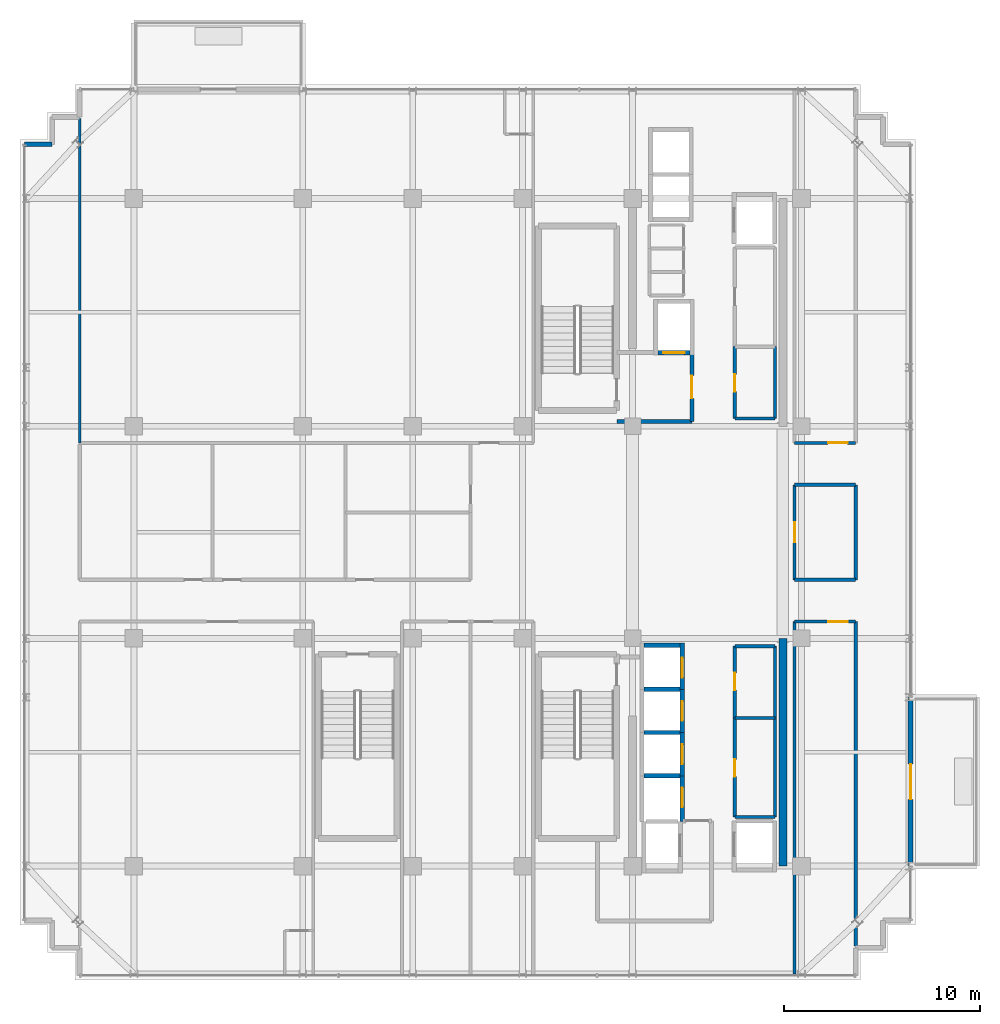
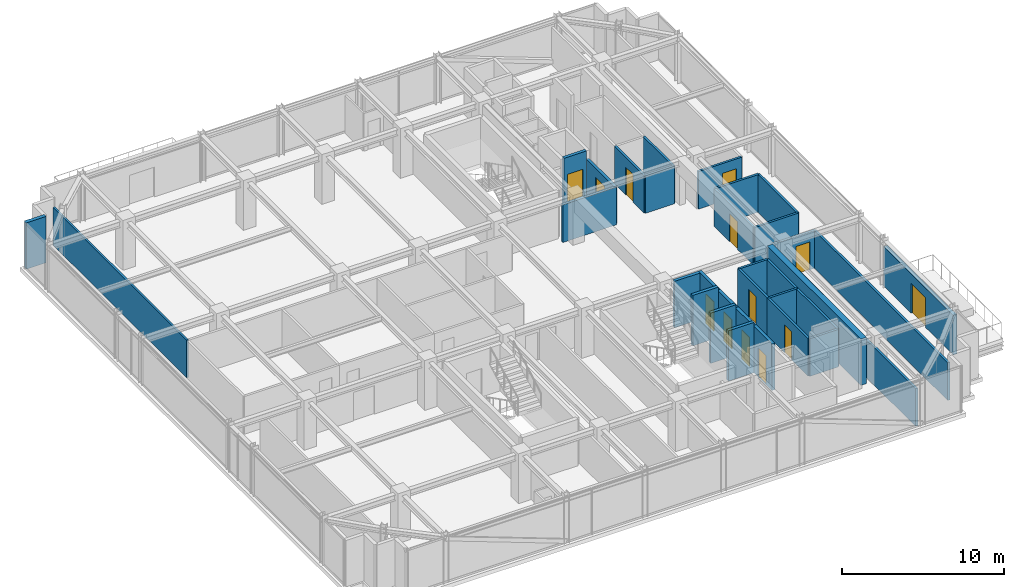
# One storey, part 25 of 31: 33 walls, 13 doors, 13 openings.
"""IFC4 building model written with IfcOpenShell, lengths in metres."""

from ifc_helpers import new_model, si_unit, direction, frame, frame_2d, origin, place, context, subcontext, project, spatial, rectangle, extrude, source, transform, mapped, material, layer, layer_set, type_object, element, fill, save


model = new_model("IFC4")

# Units and contexts
model_context = context("Model", 3, precision=1e-05, world=origin(), true_north=direction((0.0, 1.0)))
body_context = subcontext(model_context, "Body", "Model", "MODEL_VIEW")
ifc_project = project(units=[si_unit("LENGTHUNIT", "METRE"), si_unit("AREAUNIT", "SQUARE_METRE"), si_unit("VOLUMEUNIT", "CUBIC_METRE"), si_unit("PLANEANGLEUNIT", "RADIAN"), si_unit("MASSUNIT", "GRAM", prefix="KILO")], contexts=[model_context])

# Site, building, storey
site_placement = place(None, origin())
site = spatial("IfcSite", under=ifc_project, at=site_placement, CompositionType="ELEMENT")
building_placement = place(site_placement, origin())
building = spatial("IfcBuilding", under=site, at=building_placement, Name="Nahalor Promenade Grand Hotel", CompositionType="ELEMENT")
storey_placement = place(building_placement, frame((0.0, 0.0, 327.14990234375)))
storey = spatial("IfcBuildingStorey", under=building, at=storey_placement, Name="L84", CompositionType="ELEMENT", Elevation=327.14990234375)

# Wall
ifc_material_1 = material(Name="Concrete B-50 (C40/50)", Category="concrete")
ifc_layer_1 = layer(ifc_material_1, 0.39990234375)
ifc_layer_set_1 = layer_set([ifc_layer_1], Name="Concrete B-50 (C40/50)")
wall_type_1 = type_object("IfcWallType", Name="Wall-CoreShear-400", PredefinedType="SHEAR", material=ifc_layer_set_1)
shared_shape_1 = source(origin(), body_context, "Body", "SweptSolid", [
    extrude(rectangle(XDim=11.60009765625, YDim=0.39990234375, at=frame_2d((5.800048828125, 0.0))), origin(), (0.0, 0.0, 1.0), 3.5),
])
wall_1_placement = place(storey_placement, frame((16.050048828125, -17.0, 0.0), z_axis=(0.0, 0.0, 1.0), x_axis=(0.0, 1.0, 0.0)))
element("IfcWall", 1, at=wall_1_placement, inside=storey, type_object=wall_type_1, Name="CWALL-L84-SE", PredefinedType="SHEAR", context=body_context, shape_type="MappedRepresentation", body=[
    mapped(shared_shape_1, transform((0.0, 0.0, 0.0), scale=1.0)),
])

# Wall, opening, door
ifc_layer_2 = layer(ifc_material_1, 0.219970703125)
ifc_layer_set_2 = layer_set([ifc_layer_2], Name="Concrete B-50 (C40/50)")
wall_type_2 = type_object("IfcWallType", Name="Wall-LiftShaft-220", PredefinedType="SHEAR", material=ifc_layer_set_2)
shared_shape_2 = source(origin(), body_context, "Body", "SweptSolid", [
    extrude(rectangle(XDim=2.360107421875, YDim=0.219970703125, at=frame_2d((1.18017578125, 0.0))), origin(), (0.0, 0.0, 1.0), 3.5),
])
wall_2_placement = place(storey_placement, frame((10.919921875, -8.0, 0.0), z_axis=(0.0, 0.0, 1.0), x_axis=(0.0, 1.0, 0.0)))
wall_2 = element("IfcWall", 2, at=wall_2_placement, inside=storey, type_object=wall_type_2, Name="L84 Lift PL9 Hoistway Wall E", PredefinedType="SHEAR", context=body_context, shape_type="MappedRepresentation", body=[
    mapped(shared_shape_2, transform((0.0, 0.0, 0.0), scale=1.0)),
])
opening_1_placement = place(wall_2_placement, frame((0.60009765625, 0.0, 0.0)))
opening_1 = element("IfcOpeningElement", 3, at=opening_1_placement, cuts=wall_2, Name="Opening LD-01", PredefinedType="OPENING", context=body_context, shape_type="SweptSolid", body=[
    extrude(rectangle(XDim=1.0, YDim=2.199951171875, at=frame_2d((0.5, 1.10009765625))), frame((0.0, 0.119873046875, 0.0), z_axis=(0.0, -1.0, 0.0), x_axis=(1.0, 0.0, 0.0)), (0.0, 0.0, 1.0), 0.239990234375),
])
ifc_material_2 = material(Name="Steel S355JR", Category="steel")
door_type_1 = type_object("IfcDoorType", Name="Door-LiftLanding-1000", OperationType="DOUBLE_DOOR_SLIDING", PredefinedType="DOOR", material=ifc_material_2)
shared_shape_3 = source(origin(), body_context, "Body", "SweptSolid", [
    extrude(rectangle(XDim=1.0, YDim=2.199951171875, at=frame_2d((0.5, 1.10009765625))), frame((0.0, 0.02490234375, 0.0), z_axis=(0.0, -1.0, 0.0), x_axis=(1.0, 0.0, 0.0)), (0.0, 0.0, 1.0), 0.050048828125),
])
door_1_placement = place(opening_1_placement, frame((1.0, 0.0, 0.0), z_axis=(0.0, 0.0, 1.0), x_axis=(-1.0, 0.0, 0.0)))
door_1 = element("IfcDoor", 4, at=door_1_placement, inside=storey, type_object=door_type_1, Name="DR-LIFT-PL9-L84", OperationType="DOUBLE_DOOR_SLIDING", OverallHeight=2.199951171875, OverallWidth=1.0, PredefinedType="DOOR", context=body_context, shape_type="MappedRepresentation", body=[
    mapped(shared_shape_3, transform((0.0, 0.0, 0.0), scale=1.0)),
])
fill(opening_1, door_1)

# Wall
shared_shape_4 = source(origin(), body_context, "Body", "SweptSolid", [
    extrude(rectangle(XDim=1.820068359375, YDim=0.219970703125, at=frame_2d((0.91015625, 0.0))), origin(), (0.0, 0.0, 1.0), 3.5),
])
wall_3_placement = place(storey_placement, frame((8.989990234375, -5.75, 0.0), z_axis=(0.0, 0.0, 1.0), x_axis=(1.0, 0.0, 0.0)))
element("IfcWall", 5, at=wall_3_placement, inside=storey, type_object=wall_type_2, Name="L84 Lift PL9 Hoistway Wall N", PredefinedType="SHEAR", context=body_context, shape_type="MappedRepresentation", body=[
    mapped(shared_shape_4, transform((0.0, 0.0, 0.0), scale=1.0)),
])

# Wall, opening, door
shared_shape_5 = source(origin(), body_context, "Body", "SweptSolid", [
    extrude(rectangle(XDim=2.199951171875, YDim=0.219970703125, at=frame_2d((1.10009765625, 0.0))), origin(), (0.0, 0.0, 1.0), 3.5),
])
wall_4_placement = place(storey_placement, frame((10.919921875, -10.199951171875, 0.0), z_axis=(0.0, 0.0, 1.0), x_axis=(0.0, 1.0, 0.0)))
wall_4 = element("IfcWall", 6, at=wall_4_placement, inside=storey, type_object=wall_type_2, Name="L84 Lift PL10 Hoistway Wall E", PredefinedType="SHEAR", context=body_context, shape_type="MappedRepresentation", body=[
    mapped(shared_shape_5, transform((0.0, 0.0, 0.0), scale=1.0)),
])
opening_2_placement = place(wall_4_placement, frame((0.60009765625, 0.0, 0.0)))
opening_2 = element("IfcOpeningElement", 7, at=opening_2_placement, cuts=wall_4, Name="Opening LD-01", PredefinedType="OPENING", context=body_context, shape_type="SweptSolid", body=[
    extrude(rectangle(XDim=1.0, YDim=2.199951171875, at=frame_2d((0.5, 1.10009765625))), frame((0.0, 0.119873046875, 0.0), z_axis=(0.0, -1.0, 0.0), x_axis=(1.0, 0.0, 0.0)), (0.0, 0.0, 1.0), 0.239990234375),
])
door_2_placement = place(opening_2_placement, frame((1.0, 0.0, 0.0), z_axis=(0.0, 0.0, 1.0), x_axis=(-1.0, 0.0, 0.0)))
door_2 = element("IfcDoor", 8, at=door_2_placement, inside=storey, type_object=door_type_1, Name="DR-LIFT-PL10-L84", OperationType="DOUBLE_DOOR_SLIDING", OverallHeight=2.199951171875, OverallWidth=1.0, PredefinedType="DOOR", context=body_context, shape_type="MappedRepresentation", body=[
    mapped(shared_shape_3, transform((0.0, 0.0, 0.0), scale=1.0)),
])
fill(opening_2, door_2)

wall_5_placement = place(storey_placement, frame((10.919921875, -12.39990234375, 0.0), z_axis=(0.0, 0.0, 1.0), x_axis=(0.0, 1.0, 0.0)))
wall_5 = element("IfcWall", 9, at=wall_5_placement, inside=storey, type_object=wall_type_2, Name="L84 Lift PL11 Hoistway Wall E", PredefinedType="SHEAR", context=body_context, shape_type="MappedRepresentation", body=[
    mapped(shared_shape_5, transform((0.0, 0.0, 0.0), scale=1.0)),
])
opening_3_placement = place(wall_5_placement, frame((0.60009765625, 0.0, 0.0)))
opening_3 = element("IfcOpeningElement", 10, at=opening_3_placement, cuts=wall_5, Name="Opening LD-01", PredefinedType="OPENING", context=body_context, shape_type="SweptSolid", body=[
    extrude(rectangle(XDim=1.0, YDim=2.199951171875, at=frame_2d((0.5, 1.10009765625))), frame((0.0, 0.119873046875, 0.0), z_axis=(0.0, -1.0, 0.0), x_axis=(1.0, 0.0, 0.0)), (0.0, 0.0, 1.0), 0.239990234375),
])
door_3_placement = place(opening_3_placement, frame((1.0, 0.0, 0.0), z_axis=(0.0, 0.0, 1.0), x_axis=(-1.0, 0.0, 0.0)))
door_3 = element("IfcDoor", 11, at=door_3_placement, inside=storey, type_object=door_type_1, Name="DR-LIFT-PL11-L84", OperationType="DOUBLE_DOOR_SLIDING", OverallHeight=2.199951171875, OverallWidth=1.0, PredefinedType="DOOR", context=body_context, shape_type="MappedRepresentation", body=[
    mapped(shared_shape_3, transform((0.0, 0.0, 0.0), scale=1.0)),
])
fill(opening_3, door_3)

# Walls
shared_shape_6 = source(origin(), body_context, "Body", "SweptSolid", [
    extrude(rectangle(XDim=1.820068359375, YDim=0.219970703125, at=frame_2d((0.91015625, 0.0))), origin(), (0.0, 0.0, 1.0), 3.800048828125),
])
for number, where, z_axis, x_axis, name in (
    (12, (8.989990234375, -8.0, 0.0), (0.0, 0.0, 1.0), (1.0, 0.0, 0.0), "L84 Lift PL10 Hoistway Wall N"),
    (13, (8.989990234375, -10.199951171875, 0.0), (0.0, 0.0, 1.0), (1.0, 0.0, 0.0), "L84 Lift PL11 Hoistway Wall N"),
    (14, (8.989990234375, -12.39990234375, 0.0), (0.0, 0.0, 1.0), (1.0, 0.0, 0.0), "L84 Lift PL12 Hoistway Wall N"),
):
    element("IfcWall", number, at=place(storey_placement, frame(where, z_axis=z_axis, x_axis=x_axis)), inside=storey, type_object=wall_type_2, Name=name, PredefinedType="SHEAR", context=body_context, shape_type="MappedRepresentation", body=[
        mapped(shared_shape_6, transform((0.0, 0.0, 0.0), scale=1.0)),
    ])

# Wall, opening, door
shared_shape_7 = source(origin(), body_context, "Body", "SweptSolid", [
    extrude(rectangle(XDim=2.3251953125, YDim=0.219970703125, at=frame_2d((1.16259765625, 0.0))), origin(), (0.0, 0.0, 1.0), 3.5),
])
wall_6_placement = place(storey_placement, frame((10.919921875, -14.72509765625, 0.0), z_axis=(0.0, 0.0, 1.0), x_axis=(0.0, 1.0, 0.0)))
wall_6 = element("IfcWall", 15, at=wall_6_placement, inside=storey, type_object=wall_type_2, Name="L84 Lift PL12 Hoistway Wall E", PredefinedType="SHEAR", context=body_context, shape_type="MappedRepresentation", body=[
    mapped(shared_shape_7, transform((0.0, 0.0, 0.0), scale=1.0)),
])
opening_4_placement = place(wall_6_placement, frame((0.72509765625, 0.0, 0.0)))
opening_4 = element("IfcOpeningElement", 16, at=opening_4_placement, cuts=wall_6, Name="Opening LD-01", PredefinedType="OPENING", context=body_context, shape_type="SweptSolid", body=[
    extrude(rectangle(XDim=1.0, YDim=2.199951171875, at=frame_2d((0.5, 1.10009765625))), frame((0.0, 0.119873046875, 0.0), z_axis=(0.0, -1.0, 0.0), x_axis=(1.0, 0.0, 0.0)), (0.0, 0.0, 1.0), 0.239990234375),
])
door_4_placement = place(opening_4_placement, frame((1.0, 0.0, 0.0), z_axis=(0.0, 0.0, 1.0), x_axis=(-1.0, 0.0, 0.0)))
door_4 = element("IfcDoor", 17, at=door_4_placement, inside=storey, type_object=door_type_1, Name="DR-LIFT-PL12-L84", OperationType="DOUBLE_DOOR_SLIDING", OverallHeight=2.199951171875, OverallWidth=1.0, PredefinedType="DOOR", context=body_context, shape_type="MappedRepresentation", body=[
    mapped(shared_shape_3, transform((0.0, 0.0, 0.0), scale=1.0)),
])
fill(opening_4, door_4)

shared_shape_8 = source(origin(), body_context, "Body", "SweptSolid", [
    extrude(rectangle(XDim=1.6201171875, YDim=0.219970703125, at=frame_2d((0.81005859375, 0.0))), origin(), (0.0, 0.0, 1.0), 3.5),
])
wall_7_placement = place(storey_placement, frame((9.68994140625, 9.14990234375, 0.0), z_axis=(0.0, 0.0, 1.0), x_axis=(1.0, 0.0, 0.0)))
wall_7 = element("IfcWall", 18, at=wall_7_placement, inside=storey, type_object=wall_type_2, Name="L84 Lift FL1 Hoistway Wall S", PredefinedType="SHEAR", context=body_context, shape_type="MappedRepresentation", body=[
    mapped(shared_shape_8, transform((0.0, 0.0, 0.0), scale=1.0)),
])
opening_5_placement = place(wall_7_placement, frame((0.260009765625, 0.0, 0.0)))
opening_5 = element("IfcOpeningElement", 19, at=opening_5_placement, cuts=wall_7, Name="Opening LD-02", PredefinedType="OPENING", context=body_context, shape_type="SweptSolid", body=[
    extrude(rectangle(XDim=1.10009765625, YDim=2.199951171875, at=frame_2d((0.550048828125, 1.10009765625))), frame((0.0, 0.119873046875, 0.0), z_axis=(0.0, -1.0, 0.0), x_axis=(1.0, 0.0, 0.0)), (0.0, 0.0, 1.0), 0.239990234375),
])
door_type_2 = type_object("IfcDoorType", Name="Door-LiftFF-1100", OperationType="DOUBLE_DOOR_SLIDING", PredefinedType="DOOR", material=ifc_material_2)
shared_shape_9 = source(origin(), body_context, "Body", "SweptSolid", [
    extrude(rectangle(XDim=1.10009765625, YDim=2.199951171875, at=frame_2d((0.550048828125, 1.10009765625))), frame((0.0, 0.02490234375, 0.0), z_axis=(0.0, -1.0, 0.0), x_axis=(1.0, 0.0, 0.0)), (0.0, 0.0, 1.0), 0.050048828125),
])
door_5_placement = place(opening_5_placement, frame((1.10009765625, 0.0, 0.0), z_axis=(0.0, 0.0, 1.0), x_axis=(-1.0, 0.0, 0.0)))
door_5 = element("IfcDoor", 20, at=door_5_placement, inside=storey, type_object=door_type_2, Name="DR-LIFT-FL1-L84", OperationType="DOUBLE_DOOR_SLIDING", OverallHeight=2.199951171875, OverallWidth=1.10009765625, PredefinedType="DOOR", context=body_context, shape_type="MappedRepresentation", body=[
    mapped(shared_shape_9, transform((0.0, 0.0, 0.0), scale=1.0)),
])
fill(opening_5, door_5)

# Wall
ifc_material_3 = material(Name="Concrete B-40 (C32/40)", Category="concrete")
ifc_layer_3 = layer(ifc_material_3, 0.25)
ifc_layer_set_3 = layer_set([ifc_layer_3], Name="Concrete B-40 (C32/40)")
wall_type_3 = type_object("IfcWallType", Name="Wall-BronzePier-250", PredefinedType="STANDARD", material=ifc_layer_set_3)
shared_shape_10 = source(origin(), body_context, "Body", "SweptSolid", [
    extrude(rectangle(XDim=1.400146484375, YDim=0.25, at=frame_2d((0.7001953125, 0.0))), origin(), (0.0, 0.0, 1.0), 3.5),
])
wall_8_placement = place(storey_placement, frame((-22.56005859375, 19.760009765625, 0.0), z_axis=(0.0, 0.0, 1.0), x_axis=(1.0, 0.0, 0.0)))
element("IfcWall", 21, at=wall_8_placement, inside=storey, type_object=wall_type_3, Name="W-L84-SR-12", PredefinedType="STANDARD", context=body_context, shape_type="MappedRepresentation", body=[
    mapped(shared_shape_10, transform((0.0, 0.0, 0.0), scale=1.0)),
])

# Wall, opening, door
ifc_layer_4 = layer(ifc_material_3, 0.260009765625)
ifc_layer_set_4 = layer_set([ifc_layer_4], Name="Concrete B-40 (C32/40)")
wall_type_4 = type_object("IfcWallType", Name="Wall-BalconyWall-260", PredefinedType="STANDARD", material=ifc_layer_set_4)
shared_shape_11 = source(origin(), body_context, "Body", "SweptSolid", [
    extrude(rectangle(XDim=8.60009765625, YDim=0.260009765625, at=frame_2d((4.300048828125, 0.0))), origin(), (0.0, 0.0, 1.0), 2.97998046875),
])
wall_9_placement = place(storey_placement, frame((22.56005859375, -17.0, 0.0), z_axis=(0.0, 0.0, 1.0), x_axis=(0.0, 1.0, 0.0)))
wall_9 = element("IfcWall", 22, at=wall_9_placement, inside=storey, type_object=wall_type_4, Name="W-L84-BALC-E-2", PredefinedType="STANDARD", context=body_context, shape_type="MappedRepresentation", body=[
    mapped(shared_shape_11, transform((0.0, 0.0, 0.0), scale=1.0)),
])
opening_6_placement = place(wall_9_placement, frame((3.39990234375, 0.0, 0.0)))
opening_6 = element("IfcOpeningElement", 23, at=opening_6_placement, cuts=wall_9, Name="Opening D-BC1", PredefinedType="OPENING", context=body_context, shape_type="SweptSolid", body=[
    extrude(rectangle(XDim=1.800048828125, YDim=2.25, at=frame_2d((0.89990234375, 1.125))), frame((0.0, 0.139892578125, 0.0), z_axis=(0.0, -1.0, 0.0), x_axis=(1.0, 0.0, 0.0)), (0.0, 0.0, 1.0), 0.280029296875),
])
ifc_material_4 = material(Name="Anodised Bronze Aluminium EN AW-6063 T6", Category="aluminium")
door_type_3 = type_object("IfcDoorType", Name="Door-BalconySlide-1800", OperationType="DOUBLE_DOOR_SLIDING", PredefinedType="DOOR", material=ifc_material_4)
shared_shape_12 = source(origin(), body_context, "Body", "SweptSolid", [
    extrude(rectangle(XDim=1.800048828125, YDim=2.25, at=frame_2d((0.89990234375, 1.125))), frame((0.0, 0.02490234375, 0.0), z_axis=(0.0, -1.0, 0.0), x_axis=(1.0, 0.0, 0.0)), (0.0, 0.0, 1.0), 0.050048828125),
])
door_6_placement = place(opening_6_placement, frame((1.800048828125, 0.0, 0.0), z_axis=(0.0, 0.0, 1.0), x_axis=(-1.0, 0.0, 0.0)))
door_6 = element("IfcDoor", 24, at=door_6_placement, inside=storey, type_object=door_type_3, Name="DR-L84-BALC-E-2", OperationType="DOUBLE_DOOR_SLIDING", OverallHeight=2.25, OverallWidth=1.800048828125, PredefinedType="DOOR", context=body_context, shape_type="MappedRepresentation", body=[
    mapped(shared_shape_12, transform((0.0, 0.0, 0.0), scale=1.0)),
])
fill(opening_6, door_6)

# Wall
ifc_layer_5 = layer(ifc_material_3, 0.199951171875)
ifc_layer_set_5 = layer_set([ifc_layer_5], Name="Concrete B-40 (C32/40)")
wall_type_5 = type_object("IfcWallType", Name="Wall-PartFire-200", PredefinedType="PARTITIONING", material=ifc_layer_set_5)
shared_shape_13 = source(origin(), body_context, "Body", "SweptSolid", [
    extrude(rectangle(XDim=3.81982421875, YDim=0.199951171875, at=frame_2d((1.909912109375, 0.0))), origin(), (0.0, 0.0, 1.0), 2.840087890625),
])
wall_10_placement = place(storey_placement, frame((7.60009765625, 5.64990234375, 0.0), z_axis=(0.0, 0.0, 1.0), x_axis=(1.0, 0.0, 0.0)))
element("IfcWall", 25, at=wall_10_placement, inside=storey, type_object=wall_type_5, Name="W-L84-FF1-S", PredefinedType="PARTITIONING", context=body_context, shape_type="MappedRepresentation", body=[
    mapped(shared_shape_13, transform((0.0, 0.0, 0.0), scale=1.0)),
])

# Wall, opening, door
shared_shape_14 = source(origin(), body_context, "Body", "SweptSolid", [
    extrude(rectangle(XDim=3.5, YDim=0.199951171875, at=frame_2d((1.75, 0.0))), origin(), (0.0, 0.0, 1.0), 2.840087890625),
])
wall_11_placement = place(storey_placement, frame((11.419921875, 5.64990234375, 0.0), z_axis=(0.0, 0.0, 1.0), x_axis=(0.0, 1.0, 0.0)))
wall_11 = element("IfcWall", 26, at=wall_11_placement, inside=storey, type_object=wall_type_5, Name="W-L84-FF1-E", PredefinedType="PARTITIONING", context=body_context, shape_type="MappedRepresentation", body=[
    mapped(shared_shape_14, transform((0.0, 0.0, 0.0), scale=1.0)),
])
opening_7_placement = place(wall_11_placement, frame((1.175048828125, 0.0, 0.0)))
opening_7 = element("IfcOpeningElement", 27, at=opening_7_placement, cuts=wall_11, Name="Opening D-FF1", PredefinedType="OPENING", context=body_context, shape_type="SweptSolid", body=[
    extrude(rectangle(XDim=1.14990234375, YDim=2.14990234375, at=frame_2d((0.574951171875, 1.074951171875))), frame((0.0, 0.10986328125, 0.0), z_axis=(0.0, -1.0, 0.0), x_axis=(1.0, 0.0, 0.0)), (0.0, 0.0, 1.0), 0.219970703125),
])
door_type_4 = type_object("IfcDoorType", Name="Door-FFLobby-1150", OperationType="NOTDEFINED", PredefinedType="DOOR", material=ifc_material_2)
shared_shape_15 = source(origin(), body_context, "Body", "SweptSolid", [
    extrude(rectangle(XDim=1.14990234375, YDim=2.14990234375, at=frame_2d((0.574951171875, 1.074951171875))), frame((0.0, 0.02490234375, 0.0), z_axis=(0.0, -1.0, 0.0), x_axis=(1.0, 0.0, 0.0)), (0.0, 0.0, 1.0), 0.050048828125),
])
door_7_placement = place(opening_7_placement, frame((1.14990234375, 0.0, 0.0), z_axis=(0.0, 0.0, 1.0), x_axis=(-1.0, 0.0, 0.0)))
door_7 = element("IfcDoor", 28, at=door_7_placement, inside=storey, type_object=door_type_4, Name="DR-L84-FFL1", OperationType="SINGLE_SWING_LEFT", OverallHeight=2.14990234375, OverallWidth=1.14990234375, PredefinedType="DOOR", context=body_context, shape_type="MappedRepresentation", body=[
    mapped(shared_shape_15, transform((0.0, 0.0, 0.0), scale=1.0)),
])
fill(opening_7, door_7)

# Walls
ifc_material_5 = material(Name="Acoustic Mineral Gypsum", Category="gypsum")
ifc_layer_6 = layer(ifc_material_5, 0.159912109375)
ifc_layer_set_6 = layer_set([ifc_layer_6], Name="Acoustic Mineral Gypsum")
wall_type_6 = type_object("IfcWallType", Name="Wall-PartCorridor-160", PredefinedType="PARTITIONING", material=ifc_layer_set_6)
shared_shape_16 = source(origin(), body_context, "Body", "SweptSolid", [
    extrude(rectangle(XDim=2.0498046875, YDim=0.159912109375, at=frame_2d((1.02490234375, 0.0))), origin(), (0.0, 0.0, 1.0), 2.840087890625),
])
for number, where, z_axis, x_axis, name in (
    (29, (13.60009765625, 5.800048828125, 0.0), (0.0, 0.0, 1.0), (1.0, 0.0, 0.0), "W-L84-FRB1A-S"),
    (30, (13.60009765625, -14.5, 0.0), (0.0, 0.0, 1.0), (1.0, 0.0, 0.0), "W-L84-FRB2A-S"),
    (31, (13.60009765625, -9.449951171875, 0.0), (0.0, 0.0, 1.0), (1.0, 0.0, 0.0), "W-L84-FRB2A-N"),
    (32, (13.60009765625, -5.800048828125, 0.0), (0.0, 0.0, 1.0), (1.0, 0.0, 0.0), "W-L84-FRB2B-N"),
):
    element("IfcWall", number, at=place(storey_placement, frame(where, z_axis=z_axis, x_axis=x_axis)), inside=storey, type_object=wall_type_6, Name=name, PredefinedType="PARTITIONING", context=body_context, shape_type="MappedRepresentation", body=[
        mapped(shared_shape_16, transform((0.0, 0.0, 0.0), scale=1.0)),
    ])

# Wall, opening, door
shared_shape_17 = source(origin(), body_context, "Body", "SweptSolid", [
    extrude(rectangle(XDim=3.64990234375, YDim=0.159912109375, at=frame_2d((1.824951171875, 0.0))), origin(), (0.0, 0.0, 1.0), 2.840087890625),
])
wall_12_placement = place(storey_placement, frame((13.60009765625, 5.800048828125, 0.0), z_axis=(0.0, 0.0, 1.0), x_axis=(0.0, 1.0, 0.0)))
wall_12 = element("IfcWall", 33, at=wall_12_placement, inside=storey, type_object=wall_type_6, Name="W-L84-FRB1A-W", PredefinedType="PARTITIONING", context=body_context, shape_type="MappedRepresentation", body=[
    mapped(shared_shape_17, transform((0.0, 0.0, 0.0), scale=1.0)),
])
opening_8_placement = place(wall_12_placement, frame((1.360107421875, 0.0, 0.0)))
opening_8 = element("IfcOpeningElement", 34, at=opening_8_placement, cuts=wall_12, Name="Opening D-03", PredefinedType="OPENING", context=body_context, shape_type="SweptSolid", body=[
    extrude(rectangle(XDim=0.8798828125, YDim=2.10009765625, at=frame_2d((0.43994140625, 1.050048828125))), frame((0.0, 0.08984375, 0.0), z_axis=(0.0, -1.0, 0.0), x_axis=(1.0, 0.0, 0.0)), (0.0, 0.0, 1.0), 0.179931640625),
])
ifc_material_6 = material(Name="Fire-Rated Timber Composite", Category="wood")
door_type_5 = type_object("IfcDoorType", Name="Door-BathSwing-880", OperationType="NOTDEFINED", PredefinedType="DOOR", material=ifc_material_6)
shared_shape_18 = source(origin(), body_context, "Body", "SweptSolid", [
    extrude(rectangle(XDim=0.8798828125, YDim=2.10009765625, at=frame_2d((0.43994140625, 1.050048828125))), frame((0.0, 0.02490234375, 0.0), z_axis=(0.0, -1.0, 0.0), x_axis=(1.0, 0.0, 0.0)), (0.0, 0.0, 1.0), 0.050048828125),
])
door_8_placement = place(opening_8_placement, frame((0.8798828125, 0.0, 0.0), z_axis=(0.0, 0.0, 1.0), x_axis=(-1.0, 0.0, 0.0)))
door_8 = element("IfcDoor", 35, at=door_8_placement, inside=storey, type_object=door_type_5, Name="DR-L84-FRB1A", OperationType="SINGLE_SWING_RIGHT", OverallHeight=2.10009765625, OverallWidth=0.8798828125, PredefinedType="DOOR", context=body_context, shape_type="MappedRepresentation", body=[
    mapped(shared_shape_18, transform((0.0, 0.0, 0.0), scale=1.0)),
])
fill(opening_8, door_8)

# Wall
wall_13_placement = place(storey_placement, frame((15.64990234375, 5.800048828125, 0.0), z_axis=(0.0, 0.0, 1.0), x_axis=(0.0, 1.0, 0.0)))
element("IfcWall", 36, at=wall_13_placement, inside=storey, type_object=wall_type_6, Name="W-L84-FRB1A-E", PredefinedType="PARTITIONING", context=body_context, shape_type="MappedRepresentation", body=[
    mapped(shared_shape_17, transform((0.0, 0.0, 0.0), scale=1.0)),
])

# Wall, opening, door
wall_14_placement = place(storey_placement, frame((13.60009765625, -9.449951171875, 0.0), z_axis=(0.0, 0.0, 1.0), x_axis=(0.0, 1.0, 0.0)))
wall_14 = element("IfcWall", 37, at=wall_14_placement, inside=storey, type_object=wall_type_6, Name="W-L84-FRB2B-W", PredefinedType="PARTITIONING", context=body_context, shape_type="MappedRepresentation", body=[
    mapped(shared_shape_17, transform((0.0, 0.0, 0.0), scale=1.0)),
])
opening_9_placement = place(wall_14_placement, frame((1.409912109375, 0.0, 0.0)))
opening_9 = element("IfcOpeningElement", 38, at=opening_9_placement, cuts=wall_14, Name="Opening D-03", PredefinedType="OPENING", context=body_context, shape_type="SweptSolid", body=[
    extrude(rectangle(XDim=0.8798828125, YDim=2.10009765625, at=frame_2d((0.43994140625, 1.050048828125))), frame((0.0, 0.08984375, 0.0), z_axis=(0.0, -1.0, 0.0), x_axis=(1.0, 0.0, 0.0)), (0.0, 0.0, 1.0), 0.179931640625),
])
door_9_placement = place(opening_9_placement, frame((0.8798828125, 0.0, 0.0), z_axis=(0.0, 0.0, 1.0), x_axis=(-1.0, 0.0, 0.0)))
door_9 = element("IfcDoor", 39, at=door_9_placement, inside=storey, type_object=door_type_5, Name="DR-L84-FRB2B", OperationType="SINGLE_SWING_LEFT", OverallHeight=2.10009765625, OverallWidth=0.8798828125, PredefinedType="DOOR", context=body_context, shape_type="MappedRepresentation", body=[
    mapped(shared_shape_18, transform((0.0, 0.0, 0.0), scale=1.0)),
])
fill(opening_9, door_9)

# Wall
wall_15_placement = place(storey_placement, frame((15.64990234375, -9.449951171875, 0.0), z_axis=(0.0, 0.0, 1.0), x_axis=(0.0, 1.0, 0.0)))
element("IfcWall", 40, at=wall_15_placement, inside=storey, type_object=wall_type_6, Name="W-L84-FRB2B-E", PredefinedType="PARTITIONING", context=body_context, shape_type="MappedRepresentation", body=[
    mapped(shared_shape_17, transform((0.0, 0.0, 0.0), scale=1.0)),
])

# Wall, opening, door
shared_shape_19 = source(origin(), body_context, "Body", "SweptSolid", [
    extrude(rectangle(XDim=5.050048828125, YDim=0.159912109375, at=frame_2d((2.52490234375, 0.0))), origin(), (0.0, 0.0, 1.0), 2.840087890625),
])
wall_16_placement = place(storey_placement, frame((13.60009765625, -14.5, 0.0), z_axis=(0.0, 0.0, 1.0), x_axis=(0.0, 1.0, 0.0)))
wall_16 = element("IfcWall", 41, at=wall_16_placement, inside=storey, type_object=wall_type_6, Name="W-L84-FRB2A-W", PredefinedType="PARTITIONING", context=body_context, shape_type="MappedRepresentation", body=[
    mapped(shared_shape_19, transform((0.0, 0.0, 0.0), scale=1.0)),
])
opening_10_placement = place(wall_16_placement, frame((2.06005859375, 0.0, 0.0)))
opening_10 = element("IfcOpeningElement", 42, at=opening_10_placement, cuts=wall_16, Name="Opening D-03", PredefinedType="OPENING", context=body_context, shape_type="SweptSolid", body=[
    extrude(rectangle(XDim=0.8798828125, YDim=2.10009765625, at=frame_2d((0.43994140625, 1.050048828125))), frame((0.0, 0.08984375, 0.0), z_axis=(0.0, -1.0, 0.0), x_axis=(1.0, 0.0, 0.0)), (0.0, 0.0, 1.0), 0.179931640625),
])
door_10_placement = place(opening_10_placement, frame((0.8798828125, 0.0, 0.0), z_axis=(0.0, 0.0, 1.0), x_axis=(-1.0, 0.0, 0.0)))
door_10 = element("IfcDoor", 43, at=door_10_placement, inside=storey, type_object=door_type_5, Name="DR-L84-FRB2A", OperationType="SINGLE_SWING_RIGHT", OverallHeight=2.10009765625, OverallWidth=0.8798828125, PredefinedType="DOOR", context=body_context, shape_type="MappedRepresentation", body=[
    mapped(shared_shape_18, transform((0.0, 0.0, 0.0), scale=1.0)),
])
fill(opening_10, door_10)

# Wall
wall_17_placement = place(storey_placement, frame((15.64990234375, -14.5, 0.0), z_axis=(0.0, 0.0, 1.0), x_axis=(0.0, 1.0, 0.0)))
element("IfcWall", 44, at=wall_17_placement, inside=storey, type_object=wall_type_6, Name="W-L84-FRB2A-E", PredefinedType="PARTITIONING", context=body_context, shape_type="MappedRepresentation", body=[
    mapped(shared_shape_19, transform((0.0, 0.0, 0.0), scale=1.0)),
])

# Wall, opening, door
shared_shape_20 = source(origin(), body_context, "Body", "SweptSolid", [
    extrude(rectangle(XDim=3.110107421875, YDim=0.159912109375, at=frame_2d((1.55517578125, 0.0))), origin(), (0.0, 0.0, 1.0), 2.840087890625),
])
wall_18_placement = place(storey_placement, frame((16.64990234375, 4.550048828125, 0.0), z_axis=(0.0, 0.0, 1.0), x_axis=(1.0, 0.0, 0.0)))
wall_18 = element("IfcWall", 45, at=wall_18_placement, inside=storey, type_object=wall_type_6, Name="W-L84-ENE-S", PredefinedType="PARTITIONING", context=body_context, shape_type="MappedRepresentation", body=[
    mapped(shared_shape_20, transform((0.0, 0.0, 0.0), scale=1.0)),
])
opening_11_placement = place(wall_18_placement, frame((1.700927734375, 0.0, 0.0)))
opening_11 = element("IfcOpeningElement", 46, at=opening_11_placement, cuts=wall_18, Name="Opening D-04", PredefinedType="OPENING", context=body_context, shape_type="SweptSolid", body=[
    extrude(rectangle(XDim=1.0, YDim=2.10009765625, at=frame_2d((0.5, 1.050048828125))), frame((0.0, 0.08984375, 0.0), z_axis=(0.0, -1.0, 0.0), x_axis=(1.0, 0.0, 0.0)), (0.0, 0.0, 1.0), 0.179931640625),
])
door_type_6 = type_object("IfcDoorType", Name="Door-ServiceFire-1000", OperationType="NOTDEFINED", PredefinedType="DOOR", material=ifc_material_2)
shared_shape_21 = source(origin(), body_context, "Body", "SweptSolid", [
    extrude(rectangle(XDim=1.0, YDim=2.10009765625, at=frame_2d((0.5, 1.050048828125))), frame((0.0, 0.02490234375, 0.0), z_axis=(0.0, -1.0, 0.0), x_axis=(1.0, 0.0, 0.0)), (0.0, 0.0, 1.0), 0.050048828125),
])
door_11_placement = place(opening_11_placement, origin())
door_11 = element("IfcDoor", 47, at=door_11_placement, inside=storey, type_object=door_type_6, Name="DR-L84-ENE", OperationType="SINGLE_SWING_RIGHT", OverallHeight=2.10009765625, OverallWidth=1.0, PredefinedType="DOOR", context=body_context, shape_type="MappedRepresentation", body=[
    mapped(shared_shape_21, transform((0.0, 0.0, 0.0), scale=1.0)),
])
fill(opening_11, door_11)

wall_19_placement = place(storey_placement, frame((16.64990234375, -4.550048828125, 0.0), z_axis=(0.0, 0.0, 1.0), x_axis=(1.0, 0.0, 0.0)))
wall_19 = element("IfcWall", 48, at=wall_19_placement, inside=storey, type_object=wall_type_6, Name="W-L84-ESE-N", PredefinedType="PARTITIONING", context=body_context, shape_type="MappedRepresentation", body=[
    mapped(shared_shape_20, transform((0.0, 0.0, 0.0), scale=1.0)),
])
opening_12_placement = place(wall_19_placement, frame((1.700927734375, 0.0, 0.0)))
opening_12 = element("IfcOpeningElement", 49, at=opening_12_placement, cuts=wall_19, Name="Opening D-04", PredefinedType="OPENING", context=body_context, shape_type="SweptSolid", body=[
    extrude(rectangle(XDim=1.0, YDim=2.10009765625, at=frame_2d((0.5, 1.050048828125))), frame((0.0, 0.08984375, 0.0), z_axis=(0.0, -1.0, 0.0), x_axis=(1.0, 0.0, 0.0)), (0.0, 0.0, 1.0), 0.179931640625),
])
door_12_placement = place(opening_12_placement, frame((1.0, 0.0, 0.0), z_axis=(0.0, 0.0, 1.0), x_axis=(-1.0, 0.0, 0.0)))
door_12 = element("IfcDoor", 50, at=door_12_placement, inside=storey, type_object=door_type_6, Name="DR-L84-ESE", OperationType="SINGLE_SWING_LEFT", OverallHeight=2.10009765625, OverallWidth=1.0, PredefinedType="DOOR", context=body_context, shape_type="MappedRepresentation", body=[
    mapped(shared_shape_21, transform((0.0, 0.0, 0.0), scale=1.0)),
])
fill(opening_12, door_12)

# Walls
for number, where, z_axis, x_axis, name in (
    (51, (16.64990234375, -2.419921875, 0.0), (0.0, 0.0, 1.0), (1.0, 0.0, 0.0), "W-L84-ECW-S"),
    (52, (16.64990234375, 2.419921875, 0.0), (0.0, 0.0, 1.0), (1.0, 0.0, 0.0), "W-L84-ECW-N"),
):
    element("IfcWall", number, at=place(storey_placement, frame(where, z_axis=z_axis, x_axis=x_axis)), inside=storey, type_object=wall_type_6, Name=name, PredefinedType="PARTITIONING", context=body_context, shape_type="MappedRepresentation", body=[
        mapped(shared_shape_20, transform((0.0, 0.0, 0.0), scale=1.0)),
    ])
shared_shape_22 = source(origin(), body_context, "Body", "SweptSolid", [
    extrude(rectangle(XDim=17.949951171875, YDim=0.159912109375, at=frame_2d((8.97509765625, 0.0))), origin(), (0.0, 0.0, 1.0), 2.840087890625),
])
wall_20_placement = place(storey_placement, frame((16.64990234375, -22.5, 0.0), z_axis=(0.0, 0.0, 1.0), x_axis=(0.0, 1.0, 0.0)))
element("IfcWall", 53, at=wall_20_placement, inside=storey, type_object=wall_type_6, Name="W-L84-ESE-W", PredefinedType="PARTITIONING", context=body_context, shape_type="MappedRepresentation", body=[
    mapped(shared_shape_22, transform((0.0, 0.0, 0.0), scale=1.0)),
])
shared_shape_23 = source(origin(), body_context, "Body", "SweptSolid", [
    extrude(rectangle(XDim=16.530029296875, YDim=0.159912109375, at=frame_2d((8.26513671875, 0.0))), origin(), (0.0, 0.0, 1.0), 2.840087890625),
])
wall_21_placement = place(storey_placement, frame((19.760009765625, -21.080078125, 0.0), z_axis=(0.0, 0.0, 1.0), x_axis=(0.0, 1.0, 0.0)))
element("IfcWall", 54, at=wall_21_placement, inside=storey, type_object=wall_type_6, Name="W-L84-ESE-E", PredefinedType="PARTITIONING", context=body_context, shape_type="MappedRepresentation", body=[
    mapped(shared_shape_23, transform((0.0, 0.0, 0.0), scale=1.0)),
])
ifc_layer_7 = layer(ifc_material_5, 0.139892578125)
ifc_layer_set_7 = layer_set([ifc_layer_7], Name="Acoustic Mineral Gypsum")
wall_type_7 = type_object("IfcWallType", Name="Wall-PartSuite-140", PredefinedType="PARTITIONING", material=ifc_layer_set_7)
shared_shape_24 = source(origin(), body_context, "Body", "SweptSolid", [
    extrude(rectangle(XDim=16.530029296875, YDim=0.139892578125, at=frame_2d((8.26513671875, 0.0))), origin(), (0.0, 0.0, 1.0), 2.840087890625),
])
wall_22_placement = place(storey_placement, frame((-19.760009765625, 4.550048828125, 0.0), z_axis=(0.0, 0.0, 1.0), x_axis=(0.0, 1.0, 0.0)))
element("IfcWall", 55, at=wall_22_placement, inside=storey, type_object=wall_type_7, Name="W-L84-NW-ENDW", PredefinedType="PARTITIONING", context=body_context, shape_type="MappedRepresentation", body=[
    mapped(shared_shape_24, transform((0.0, 0.0, 0.0), scale=1.0)),
])

# Wall, opening, door
shared_shape_25 = source(origin(), body_context, "Body", "SweptSolid", [
    extrude(rectangle(XDim=4.83984375, YDim=0.159912109375, at=frame_2d((2.419921875, 0.0))), origin(), (0.0, 0.0, 1.0), 2.840087890625),
])
wall_23_placement = place(storey_placement, frame((16.64990234375, -2.419921875, 0.0), z_axis=(0.0, 0.0, 1.0), x_axis=(0.0, 1.0, 0.0)))
wall_23 = element("IfcWall", 56, at=wall_23_placement, inside=storey, type_object=wall_type_6, Name="W-L84-ECW-W", PredefinedType="PARTITIONING", context=body_context, shape_type="MappedRepresentation", body=[
    mapped(shared_shape_25, transform((0.0, 0.0, 0.0), scale=1.0)),
])
opening_13_placement = place(wall_23_placement, frame((1.919921875, 0.0, 0.0)))
opening_13 = element("IfcOpeningElement", 57, at=opening_13_placement, cuts=wall_23, Name="Opening D-04", PredefinedType="OPENING", context=body_context, shape_type="SweptSolid", body=[
    extrude(rectangle(XDim=1.0, YDim=2.10009765625, at=frame_2d((0.5, 1.050048828125))), frame((0.0, 0.08984375, 0.0), z_axis=(0.0, -1.0, 0.0), x_axis=(1.0, 0.0, 0.0)), (0.0, 0.0, 1.0), 0.179931640625),
])
door_13_placement = place(opening_13_placement, frame((1.0, 0.0, 0.0), z_axis=(0.0, 0.0, 1.0), x_axis=(-1.0, 0.0, 0.0)))
door_13 = element("IfcDoor", 58, at=door_13_placement, inside=storey, type_object=door_type_6, Name="DR-L84-ECW", OperationType="SINGLE_SWING_LEFT", OverallHeight=2.10009765625, OverallWidth=1.0, PredefinedType="DOOR", context=body_context, shape_type="MappedRepresentation", body=[
    mapped(shared_shape_21, transform((0.0, 0.0, 0.0), scale=1.0)),
])
fill(opening_13, door_13)

# Wall
wall_24_placement = place(storey_placement, frame((19.760009765625, -2.419921875, 0.0), z_axis=(0.0, 0.0, 1.0), x_axis=(0.0, 1.0, 0.0)))
element("IfcWall", 59, at=wall_24_placement, inside=storey, type_object=wall_type_6, Name="W-L84-ECW-E", PredefinedType="PARTITIONING", context=body_context, shape_type="MappedRepresentation", body=[
    mapped(shared_shape_25, transform((0.0, 0.0, 0.0), scale=1.0)),
])

save(model, "model.ifc")
